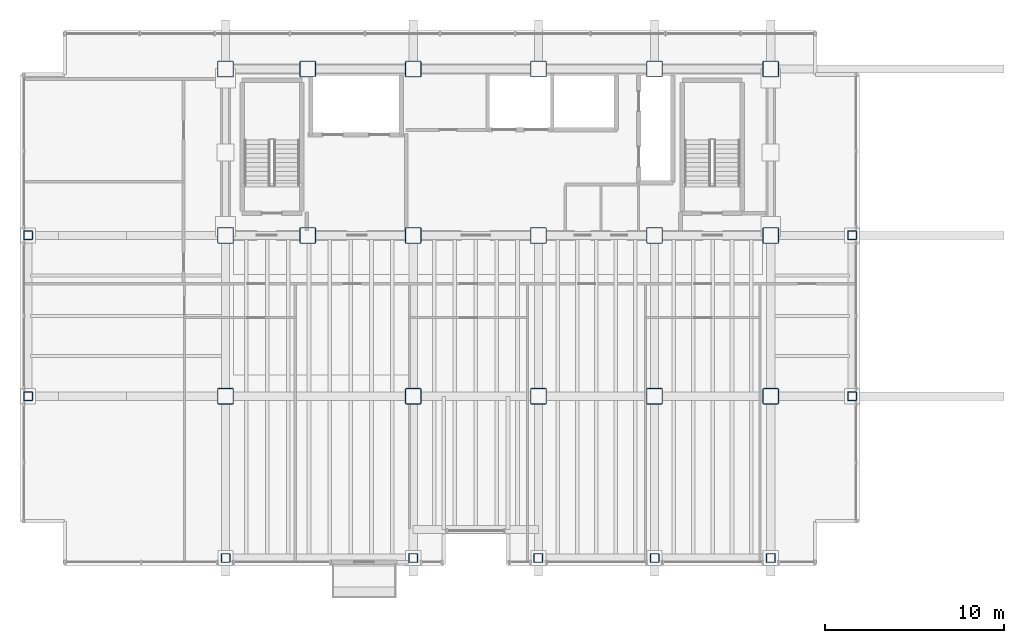
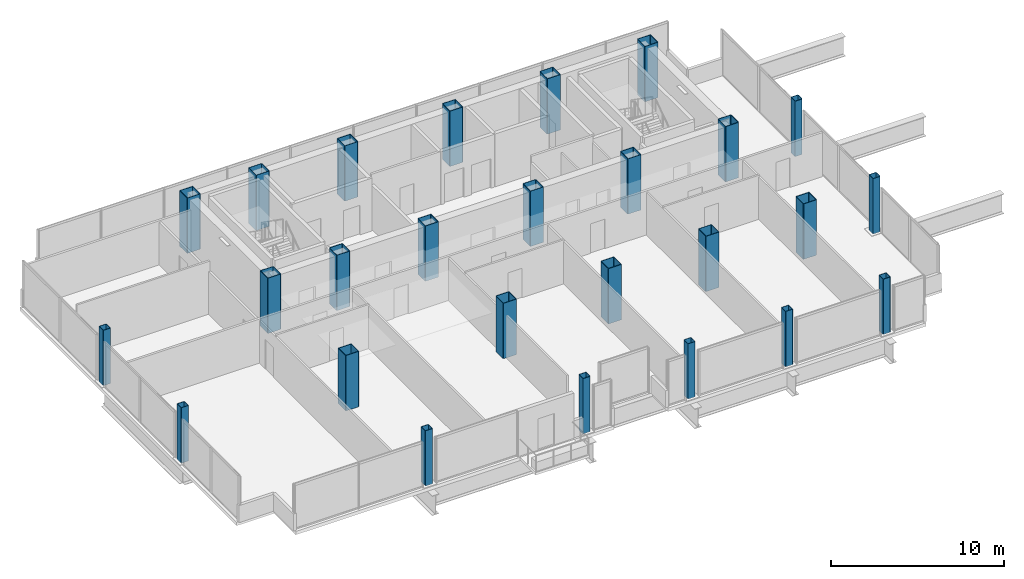
# One storey, part 1 of 24: 26 columns.
"""IFC4 building model written with IfcOpenShell, lengths in metres."""

from ifc_helpers import new_model, si_unit, direction, frame, origin, origin_2d, place, context, subcontext, project, spatial, hollow_rectangle, extrude, material, material_profile, profile_set, type_object, element, save


model = new_model("IFC4")

# Units and contexts
model_context = context("Model", 3, precision=1e-05, world=origin(), true_north=direction((0.0, 1.0)))
body_context = subcontext(model_context, "Body", "Model", "MODEL_VIEW")
ifc_project = project(units=[si_unit("LENGTHUNIT", "METRE"), si_unit("AREAUNIT", "SQUARE_METRE"), si_unit("VOLUMEUNIT", "CUBIC_METRE"), si_unit("PLANEANGLEUNIT", "RADIAN"), si_unit("MASSUNIT", "GRAM", prefix="KILO")], contexts=[model_context])

# Site, building, storey
site_placement = place(None, origin())
site = spatial("IfcSite", under=ifc_project, at=site_placement, CompositionType="ELEMENT")
building_placement = place(site_placement, origin())
building = spatial("IfcBuilding", under=site, at=building_placement, Name="Noeulbin Bourse Tower", CompositionType="ELEMENT")
storey_placement = place(building_placement, frame((0.0, 0.0, 114.89990234375)))
storey = spatial("IfcBuildingStorey", under=building, at=storey_placement, Name="L28", CompositionType="ELEMENT", Elevation=114.89990234375)

# Columns
ifc_material_1 = material(Name="Steel S355", Category="steel")
ifc_material_profile_1 = material_profile(ifc_material_1, hollow_rectangle(XDim=0.5, YDim=0.5, WallThickness=0.02392578125, InnerFilletRadius=0.011962890625, OuterFilletRadius=0.035888671875, at=origin_2d()), Name="BOX-500x500x24", Category="LoadBearing")
ifc_profile_set_1 = profile_set([ifc_material_profile_1], Name="Steel S355")
column_type_1 = type_object("IfcColumnType", Name="COL-PER-Z2", PredefinedType="COLUMN", material=ifc_profile_set_1)
for number, where, z_axis, x_axis, name in (
    (1, (2.449951171875, 20.0, 0.0), (0.0, 0.0, 1.0), (1.0, 0.0, 0.0), "Tower Perimeter Column COL-PER-Z2 01"),
    (2, (2.449951171875, 29.0, 0.0), (0.0, 0.0, 1.0), (1.0, 0.0, 0.0), "Tower Perimeter Column COL-PER-Z2 02"),
    (3, (13.5, 10.949951171875, 0.0), (0.0, 0.0, 1.0), (1.0, 0.0, 0.0), "Tower Perimeter Column COL-PER-Z2 03"),
    (4, (24.0, 10.949951171875, 0.0), (0.0, 0.0, 1.0), (1.0, 0.0, 0.0), "Tower Perimeter Column COL-PER-Z2 04"),
    (5, (31.0, 10.949951171875, 0.0), (0.0, 0.0, 1.0), (1.0, 0.0, 0.0), "Tower Perimeter Column COL-PER-Z2 05"),
    (6, (37.5, 10.949951171875, 0.0), (0.0, 0.0, 1.0), (1.0, 0.0, 0.0), "Tower Perimeter Column COL-PER-Z2 06"),
    (7, (44.0, 10.949951171875, 0.0), (0.0, 0.0, 1.0), (1.0, 0.0, 0.0), "Tower Perimeter Column COL-PER-Z2 07"),
    (8, (48.550048828125, 20.0, 0.0), (0.0, 0.0, 1.0), (1.0, 0.0, 0.0), "Tower Perimeter Column COL-PER-Z2 08"),
    (9, (48.550048828125, 29.0, 0.0), (0.0, 0.0, 1.0), (1.0, 0.0, 0.0), "Tower Perimeter Column COL-PER-Z2 09"),
):
    element("IfcColumn", number, at=place(storey_placement, frame(where, z_axis=z_axis, x_axis=x_axis)), inside=storey, type_object=column_type_1, Name=name, PredefinedType="COLUMN", context=body_context, shape_type="SweptSolid", body=[
        extrude(hollow_rectangle(XDim=0.5, YDim=0.5, WallThickness=0.02392578125, InnerFilletRadius=0.011962890625, OuterFilletRadius=0.035888671875, at=origin_2d()), origin(), (0.0, 0.0, 1.0), 3.900146484375),
    ])
ifc_material_2 = material(Name="Steel S460", Category="steel")
ifc_material_profile_2 = material_profile(ifc_material_2, hollow_rectangle(XDim=0.89990234375, YDim=0.89990234375, WallThickness=0.034912109375, InnerFilletRadius=0.01708984375, OuterFilletRadius=0.052001953125, at=origin_2d()), Name="BOX-900x900x35", Category="LoadBearing")
ifc_profile_set_2 = profile_set([ifc_material_profile_2], Name="Steel S460")
column_type_2 = type_object("IfcColumnType", Name="COL-TRK-Z2", PredefinedType="COLUMN", material=ifc_profile_set_2)
for number, where, z_axis, x_axis, name in (
    (10, (13.5, 29.0, 0.0), (0.0, 0.0, 1.0), (1.0, 0.0, 0.0), "Tower Trunk Mega-Column COL-TRK-Z2 01"),
    (11, (13.5, 38.300048828125, 0.0), (0.0, 0.0, 1.0), (1.0, 0.0, 0.0), "Tower Trunk Mega-Column COL-TRK-Z2 02"),
    (12, (18.10009765625, 29.0, 0.0), (0.0, 0.0, 1.0), (1.0, 0.0, 0.0), "Tower Trunk Mega-Column COL-TRK-Z2 03"),
    (13, (18.10009765625, 38.300048828125, 0.0), (0.0, 0.0, 1.0), (1.0, 0.0, 0.0), "Tower Trunk Mega-Column COL-TRK-Z2 04"),
    (14, (24.0, 29.0, 0.0), (0.0, 0.0, 1.0), (1.0, 0.0, 0.0), "Tower Trunk Mega-Column COL-TRK-Z2 05"),
    (15, (24.0, 38.300048828125, 0.0), (0.0, 0.0, 1.0), (1.0, 0.0, 0.0), "Tower Trunk Mega-Column COL-TRK-Z2 06"),
    (16, (31.0, 29.0, 0.0), (0.0, 0.0, 1.0), (1.0, 0.0, 0.0), "Tower Trunk Mega-Column COL-TRK-Z2 07"),
    (17, (31.0, 38.300048828125, 0.0), (0.0, 0.0, 1.0), (1.0, 0.0, 0.0), "Tower Trunk Mega-Column COL-TRK-Z2 08"),
    (18, (37.5, 29.0, 0.0), (0.0, 0.0, 1.0), (1.0, 0.0, 0.0), "Tower Trunk Mega-Column COL-TRK-Z2 09"),
    (19, (37.5, 38.300048828125, 0.0), (0.0, 0.0, 1.0), (1.0, 0.0, 0.0), "Tower Trunk Mega-Column COL-TRK-Z2 10"),
    (20, (44.0, 29.0, 0.0), (0.0, 0.0, 1.0), (1.0, 0.0, 0.0), "Tower Trunk Mega-Column COL-TRK-Z2 11"),
    (21, (44.0, 38.300048828125, 0.0), (0.0, 0.0, 1.0), (1.0, 0.0, 0.0), "Tower Trunk Mega-Column COL-TRK-Z2 12"),
    (22, (13.5, 20.0, 0.0), (0.0, 0.0, 1.0), (1.0, 0.0, 0.0), "Tower Trunk Mega-Column COL-TRK-Z2 13"),
    (23, (24.0, 20.0, 0.0), (0.0, 0.0, 1.0), (1.0, 0.0, 0.0), "Tower Trunk Mega-Column COL-TRK-Z2 14"),
    (24, (31.0, 20.0, 0.0), (0.0, 0.0, 1.0), (1.0, 0.0, 0.0), "Tower Trunk Mega-Column COL-TRK-Z2 15"),
    (25, (37.5, 20.0, 0.0), (0.0, 0.0, 1.0), (1.0, 0.0, 0.0), "Tower Trunk Mega-Column COL-TRK-Z2 16"),
    (26, (44.0, 20.0, 0.0), (0.0, 0.0, 1.0), (1.0, 0.0, 0.0), "Tower Trunk Mega-Column COL-TRK-Z2 17"),
):
    element("IfcColumn", number, at=place(storey_placement, frame(where, z_axis=z_axis, x_axis=x_axis)), inside=storey, type_object=column_type_2, Name=name, PredefinedType="COLUMN", context=body_context, shape_type="SweptSolid", body=[
        extrude(hollow_rectangle(XDim=0.89990234375, YDim=0.89990234375, WallThickness=0.034912109375, InnerFilletRadius=0.01708984375, OuterFilletRadius=0.052001953125, at=origin_2d()), origin(), (0.0, 0.0, 1.0), 3.900146484375),
    ])

save(model, "model.ifc")
